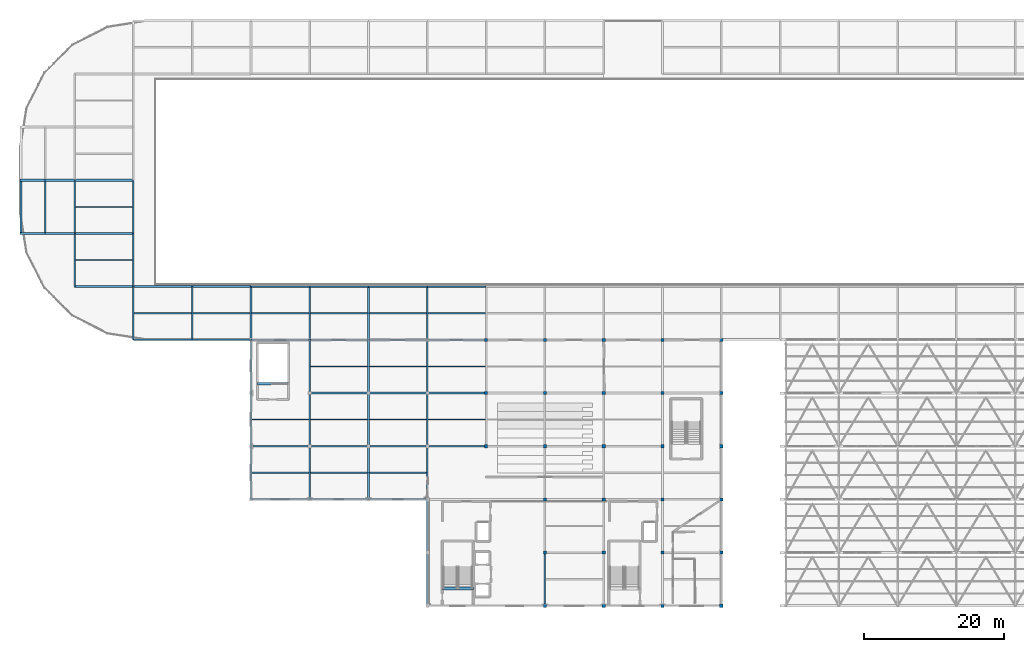
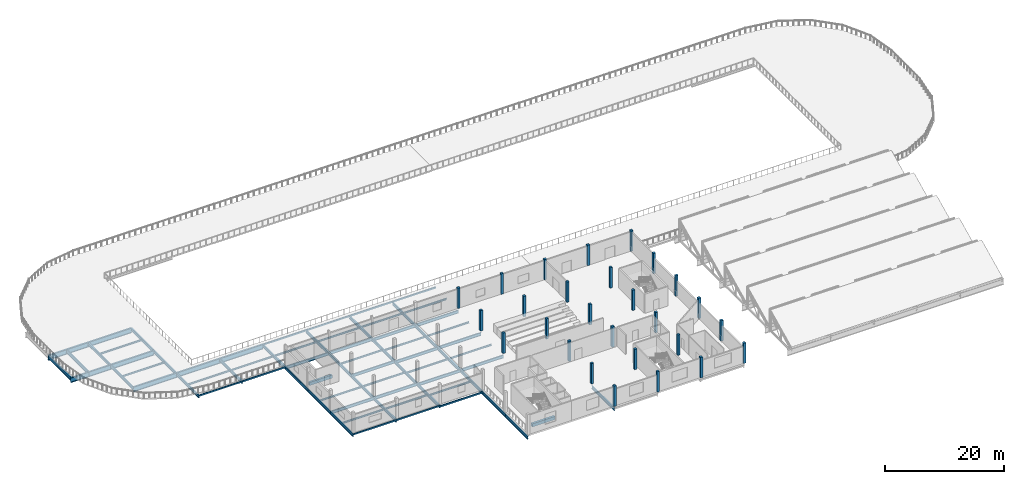
# One storey, part 2 of 57: 74 beams, 27 columns.
"""IFC4 building model written with IfcOpenShell, lengths in metres."""

import ifcopenshell
import ifcopenshell.guid

model = None  # the IFC model being written
_history = None  # IfcOwnerHistory: only IFC2X3 demands one
_inside = {}  # id of a spatial element -> (the spatial element, [elements in it])
_under = {}  # id of a project, library or spatial element -> (it, [spatial elements below it])
_declared = {}  # id of a project -> (the project, [libraries it declares])
_typed = {}  # id of a type object -> (the type object, [elements of that type])
_made_of = {}  # id of a material, layer set ... -> (it, [elements and type objects made of it])


def new_model(schema):
    """Start an empty IFC model of exactly this schema.

    Asked for "IFC4X3", IfcOpenShell would pick the latest addendum, in which some entities
    have other attributes; the version numbers below select the first issue.
    IFC2X3 requires an IfcOwnerHistory on every rooted entity: one is made here for all.
    """
    global model, _history
    if schema == "IFC4X3":
        model = ifcopenshell.file(schema_version=(4, 3, 0, 0))
    else:
        model = ifcopenshell.file(schema=schema)
    _inside.clear()
    _under.clear()
    _declared.clear()
    _typed.clear()
    _made_of.clear()
    _history = None
    if model.schema == "IFC2X3":
        org = make("IfcOrganization", Name="unknown")
        user = make(
            "IfcPersonAndOrganization",
            ThePerson=make("IfcPerson", FamilyName="unknown"),
            TheOrganization=org,
        )
        app = make(
            "IfcApplication",
            ApplicationDeveloper=org,
            Version="unknown",
            ApplicationFullName="unknown",
            ApplicationIdentifier="unknown",
        )
        _history = make(
            "IfcOwnerHistory",
            OwningUser=user,
            OwningApplication=app,
            ChangeAction="ADDED",
            CreationDate=0,
        )
    return model


def make(cls, **values):
    """One entity of the class cls with the attributes given. An attribute that is None is left unset."""
    return model.create_entity(
        cls, **{name: value for name, value in values.items() if value is not None}
    )


def rooted(cls, **values):
    """An entity with a GlobalId (a new one), such as an element, a storey or a relation."""
    return make(cls, GlobalId=ifcopenshell.guid.new(), OwnerHistory=_history, **values)


def si_unit(unit_type, name, prefix=None):
    """IfcSIUnit, for example si_unit("LENGTHUNIT", "METRE", prefix="MILLI")."""
    return make("IfcSIUnit", UnitType=unit_type, Prefix=prefix, Name=name)


def assignment(units):
    """IfcUnitAssignment: the units of a project."""
    return None if units is None else make("IfcUnitAssignment", Units=units)


def point(xyz):
    """IfcCartesianPoint."""
    return None if xyz is None else make("IfcCartesianPoint", Coordinates=xyz)


def direction(xyz):
    """IfcDirection."""
    return None if xyz is None else make("IfcDirection", DirectionRatios=xyz)


def frame(location, z_axis=None, x_axis=None):
    """IfcAxis2Placement3D, a coordinate frame: its origin and axes. An axis left out is left unset."""
    return make(
        "IfcAxis2Placement3D",
        Location=point(location),
        Axis=direction(z_axis),
        RefDirection=direction(x_axis),
    )


def frame_2d(location, x_axis=None):
    """IfcAxis2Placement2D, a coordinate frame in the plane: its origin and x axis."""
    return make(
        "IfcAxis2Placement2D", Location=point(location), RefDirection=direction(x_axis)
    )


def origin():
    """The frame at (0, 0, 0) with its axes left unset."""
    return frame((0.0, 0.0, 0.0))


def origin_2d():
    """The frame at (0, 0) in the plane with its x axis left unset."""
    return frame_2d((0.0, 0.0))


def place(relative_to, where):
    """IfcLocalPlacement: puts the frame where relative to a parent placement (None: the world)."""
    return make(
        "IfcLocalPlacement", PlacementRelTo=relative_to, RelativePlacement=where
    )


def context(
    kind, dimensions, precision=None, world=None, true_north=None, identifier=None
):
    """IfcGeometricRepresentationContext, for example the 3D "Model" context."""
    return make(
        "IfcGeometricRepresentationContext",
        ContextIdentifier=identifier,
        ContextType=kind,
        CoordinateSpaceDimension=dimensions,
        Precision=precision,
        WorldCoordinateSystem=world,
        TrueNorth=true_north,
    )


def subcontext(parent, identifier, kind, view, scale=None):
    """IfcGeometricRepresentationSubContext, for example "Body" below "Model"."""
    return make(
        "IfcGeometricRepresentationSubContext",
        ContextIdentifier=identifier,
        ContextType=kind,
        ParentContext=parent,
        TargetScale=scale,
        TargetView=view,
    )


def project(units=None, contexts=None):
    """IfcProject with its units and contexts."""
    return rooted(
        "IfcProject",
        Name="project",
        RepresentationContexts=contexts,
        UnitsInContext=assignment(units),
    )


def spatial(cls, under=None, at=None, **own):
    """A site, building, storey or space (cls), placed at a placement, below another one or the project."""
    s = rooted(cls, ObjectPlacement=at, **own)
    if under is not None:
        _under.setdefault(under.id(), (under, []))[1].append(s)
    return s


def profile(cls, at=None, kind="AREA", **sizes):
    """A parametric profile (cls). Its sizes go by their IFC names, for example OverallWidth=200.0."""
    return make(cls, ProfileType=kind, Position=at, **sizes)


def rectangle(**sizes):
    """IfcRectangleProfileDef."""
    return profile("IfcRectangleProfileDef", **sizes)


def hollow_rectangle(**sizes):
    """IfcRectangleHollowProfileDef."""
    return profile("IfcRectangleHollowProfileDef", **sizes)


def i_section(**sizes):
    """IfcIShapeProfileDef."""
    return profile("IfcIShapeProfileDef", **sizes)


def extrude(swept, where, along, depth):
    """IfcExtrudedAreaSolid: the profile swept, set in the frame where, extruded along a direction by depth."""
    return make(
        "IfcExtrudedAreaSolid",
        SweptArea=swept,
        Position=where,
        ExtrudedDirection=direction(along),
        Depth=depth,
    )


def shape(context_of_items, identifier, shape_type, items):
    """IfcShapeRepresentation: the items that make up one representation, for example the "Body"."""
    return make(
        "IfcShapeRepresentation",
        ContextOfItems=context_of_items,
        RepresentationIdentifier=identifier,
        RepresentationType=shape_type,
        Items=items,
    )


def material(Name=None, Category=None):
    """IfcMaterial."""
    return make("IfcMaterial", Name=Name, Category=Category)


def material_profile(
    of_material, cross_section, Name=None, Category=None, Priority=None
):
    """IfcMaterialProfile: a cross section and its material."""
    return make(
        "IfcMaterialProfile",
        Name=Name,
        Material=of_material,
        Profile=cross_section,
        Priority=Priority,
        Category=Category,
    )


def profile_set(profiles, Name=None, composite=None):
    """IfcMaterialProfileSet."""
    return make(
        "IfcMaterialProfileSet",
        Name=Name,
        MaterialProfiles=profiles,
        CompositeProfile=composite,
    )


def made_of(thing, what):
    """Note that an element or type object is made of a material, layer set ...; save() writes the relation."""
    if what is not None:
        _made_of.setdefault(what.id(), (what, []))[1].append(thing)
    return thing


def type_object(cls, material=None, **own):
    """A type object (cls), such as IfcWallType, which elements share."""
    return made_of(rooted(cls, **own), material)


def element(
    cls,
    number,
    at=None,
    inside=None,
    cuts=None,
    type_object=None,
    material=None,
    context=None,
    identifier="Body",
    shape_type=None,
    held_by="IfcProductDefinitionShape",
    body=None,
    shapes=None,
    **own,
):
    """One element of the class cls, such as IfcWall. Its Tag is "e" and its number.

    at: its placement. inside: the storey or other place that contains it. cuts: it is an
    opening in that element (IfcRelVoidsElement). A single representation is given by context,
    identifier, shape_type and body (its items); several are given by shapes. held_by: the class
    of the entity that holds the representations. save() writes the other relations.
    """
    e = rooted(cls, Tag="e%d" % number, ObjectPlacement=at, **own)
    if body is not None:
        shapes = [shape(context, identifier, shape_type, body)]
    if shapes is not None:
        e.Representation = make(held_by, Representations=shapes)
    if inside is not None:
        _inside.setdefault(inside.id(), (inside, []))[1].append(e)
    if cuts is not None:
        rooted(
            "IfcRelVoidsElement", RelatingBuildingElement=cuts, RelatedOpeningElement=e
        )
    if type_object is not None:
        _typed.setdefault(type_object.id(), (type_object, []))[1].append(e)
    return made_of(e, material)


def aggregate(whole, parts):
    """IfcRelAggregates: a whole, such as a stair, and the parts it consists of."""
    return rooted("IfcRelAggregates", RelatingObject=whole, RelatedObjects=parts)


def save(model, path):
    """Write the relations noted so far, then the file.

    IfcRelAggregates (storeys below a building ...), IfcRelContainedInSpatialStructure (elements
    in a storey), IfcRelDefinesByType, IfcRelAssociatesMaterial and IfcRelDeclares: one each for
    every whole, place, type object, material and project.
    """
    for whole, parts in _under.values():
        aggregate(whole, parts)
    for where, things in _inside.values():
        rooted(
            "IfcRelContainedInSpatialStructure",
            RelatedElements=things,
            RelatingStructure=where,
        )
    for kind, things in _typed.values():
        rooted("IfcRelDefinesByType", RelatedObjects=things, RelatingType=kind)
    for what, things in _made_of.values():
        rooted("IfcRelAssociatesMaterial", RelatedObjects=things, RelatingMaterial=what)
    for by, libraries in _declared.values():
        rooted("IfcRelDeclares", RelatingContext=by, RelatedDefinitions=libraries)
    model.write(path)


model = new_model("IFC4")

# Units and contexts
model_context = context("Model", 3, precision=1e-05, world=origin(), true_north=direction((0.0, 1.0)))
body_context = subcontext(model_context, "Body", "Model", "MODEL_VIEW")
ifc_project = project(units=[si_unit("LENGTHUNIT", "METRE"), si_unit("AREAUNIT", "SQUARE_METRE"), si_unit("VOLUMEUNIT", "CUBIC_METRE"), si_unit("PLANEANGLEUNIT", "RADIAN"), si_unit("MASSUNIT", "GRAM", prefix="KILO")], contexts=[model_context])

# Site, building, storey
site_placement = place(None, origin())
site = spatial("IfcSite", under=ifc_project, at=site_placement, CompositionType="ELEMENT")
building_placement = place(site_placement, origin())
building = spatial("IfcBuilding", under=site, at=building_placement, Name="Zuvorla Pavilion Media Centre", CompositionType="ELEMENT")
storey_placement = place(building_placement, frame((0.0, 0.0, 18.0)))
storey = spatial("IfcBuildingStorey", under=building, at=storey_placement, Name="L04", CompositionType="ELEMENT", Elevation=18.0)

# Columns
ifc_material_1 = material(Name="Concrete C40/50", Category="concrete")
ifc_material_profile_1 = material_profile(ifc_material_1, rectangle(XDim=0.449951171875, YDim=0.449951171875, at=origin_2d()), Name="RC 450x450")
ifc_profile_set_1 = profile_set([ifc_material_profile_1], Name="Concrete C40/50")
column_type = type_object("IfcColumnType", Name="COL-RC450", PredefinedType="COLUMN", material=ifc_profile_set_1)
for number, where, z_axis, x_axis, name in (
    (1, (83.60009765625, 6.0, 0.0), (0.0, 0.0, 1.0), (1.0, 0.0, 0.0), "L04 column C04 38"),
    (2, (92.0, 6.0, 0.0), (0.0, 0.0, 1.0), (1.0, 0.0, 0.0), "L04 column C04 46"),
    (3, (100.39990234375, 6.0, 0.0), (0.0, 0.0, 1.0), (1.0, 0.0, 0.0), "L04 column C04 54"),
    (4, (108.800048828125, 6.0, 0.0), (0.0, 0.0, 1.0), (1.0, 0.0, 0.0), "L04 column C04 62"),
    (5, (83.60009765625, 13.60009765625, 0.0), (0.0, 0.0, 1.0), (1.0, 0.0, 0.0), "L04 column C04 136"),
    (6, (92.0, 13.60009765625, 0.0), (0.0, 0.0, 1.0), (1.0, 0.0, 0.0), "L04 column C04 144"),
    (7, (100.39990234375, 13.60009765625, 0.0), (0.0, 0.0, 1.0), (1.0, 0.0, 0.0), "L04 column C04 152"),
    (8, (108.800048828125, 13.60009765625, 0.0), (0.0, 0.0, 1.0), (1.0, 0.0, 0.0), "L04 column C04 160"),
    (9, (83.60009765625, 21.199951171875, 0.0), (0.0, 0.0, 1.0), (1.0, 0.0, 0.0), "L04 column C04 237"),
    (10, (92.0, 21.199951171875, 0.0), (0.0, 0.0, 1.0), (1.0, 0.0, 0.0), "L04 column C04 245"),
    (11, (100.39990234375, 21.199951171875, 0.0), (0.0, 0.0, 1.0), (1.0, 0.0, 0.0), "L04 column C04 253"),
    (12, (108.800048828125, 21.199951171875, 0.0), (0.0, 0.0, 1.0), (1.0, 0.0, 0.0), "L04 column C04 261"),
    (13, (75.199951171875, 28.800048828125, 0.0), (0.0, 0.0, 1.0), (1.0, 0.0, 0.0), "L04 column C04 324"),
    (14, (83.60009765625, 28.800048828125, 0.0), (0.0, 0.0, 1.0), (1.0, 0.0, 0.0), "L04 column C04 332"),
    (15, (92.0, 28.800048828125, 0.0), (0.0, 0.0, 1.0), (1.0, 0.0, 0.0), "L04 column C04 340"),
    (16, (100.39990234375, 28.800048828125, 0.0), (0.0, 0.0, 1.0), (1.0, 0.0, 0.0), "L04 column C04 348"),
    (17, (108.800048828125, 28.800048828125, 0.0), (0.0, 0.0, 1.0), (1.0, 0.0, 0.0), "L04 column C04 356"),
    (18, (75.199951171875, 36.39990234375, 0.0), (0.0, 0.0, 1.0), (1.0, 0.0, 0.0), "L04 column C04 414"),
    (19, (83.60009765625, 36.39990234375, 0.0), (0.0, 0.0, 1.0), (1.0, 0.0, 0.0), "L04 column C04 422"),
    (20, (92.0, 36.39990234375, 0.0), (0.0, 0.0, 1.0), (1.0, 0.0, 0.0), "L04 column C04 430"),
    (21, (100.39990234375, 36.39990234375, 0.0), (0.0, 0.0, 1.0), (1.0, 0.0, 0.0), "L04 column C04 438"),
    (22, (108.800048828125, 36.39990234375, 0.0), (0.0, 0.0, 1.0), (1.0, 0.0, 0.0), "L04 column C04 446"),
    (23, (75.199951171875, 44.0, 0.0), (0.0, 0.0, 1.0), (1.0, 0.0, 0.0), "L04 column C04 518"),
    (24, (83.60009765625, 44.0, 0.0), (0.0, 0.0, 1.0), (1.0, 0.0, 0.0), "L04 column C04 524"),
    (25, (92.0, 44.0, 0.0), (0.0, 0.0, 1.0), (1.0, 0.0, 0.0), "L04 column C04 530"),
    (26, (100.39990234375, 44.0, 0.0), (0.0, 0.0, 1.0), (1.0, 0.0, 0.0), "L04 column C04 536"),
    (27, (108.800048828125, 44.0, 0.0), (0.0, 0.0, 1.0), (1.0, 0.0, 0.0), "L04 column C04 542"),
):
    element("IfcColumn", number, at=place(storey_placement, frame(where, z_axis=z_axis, x_axis=x_axis)), inside=storey, type_object=column_type, Name=name, PredefinedType="COLUMN", context=body_context, shape_type="SweptSolid", body=[
        extrude(rectangle(XDim=0.449951171875, YDim=0.449951171875, at=origin_2d()), origin(), (0.0, 0.0, 1.0), 4.199951171875),
    ])

# Beams
ifc_material_profile_2 = material_profile(ifc_material_1, rectangle(XDim=0.39990234375, YDim=0.64990234375, at=origin_2d()), Name="RC 400x650")
ifc_profile_set_2 = profile_set([ifc_material_profile_2], Name="Concrete C40/50")
beam_type_1 = type_object("IfcBeamType", Name="BM-RC-650", PredefinedType="BEAM", material=ifc_profile_set_2)
beam_1_placement = place(storey_placement, frame((68.929931640625, 8.469970703125, -0.323974609375), z_axis=(1.0, 0.0, 0.0), x_axis=(0.0, 1.0, 0.0)))
element("IfcBeam", 28, at=beam_1_placement, inside=storey, type_object=beam_type_1, Name="L04 ST-01 landing trimmer beam", PredefinedType="BEAM", context=body_context, shape_type="SweptSolid", body=[
    extrude(rectangle(XDim=0.39990234375, YDim=0.64990234375, at=origin_2d()), origin(), (0.0, 0.0, 1.0), 4.440185546875),
])
beam_2_placement = place(storey_placement, frame((42.530029296875, 37.719970703125, -0.323974609375), z_axis=(1.0, 0.0, 0.0), x_axis=(0.0, 1.0, 0.0)))
element("IfcBeam", 29, at=beam_2_placement, inside=storey, type_object=beam_type_1, Name="L04 ST-03 arrival trimmer beam", PredefinedType="BEAM", context=body_context, shape_type="SweptSolid", body=[
    extrude(rectangle(XDim=0.39990234375, YDim=0.64990234375, at=origin_2d()), origin(), (0.0, 0.0, 1.0), 4.43994140625),
])
ifc_material_2 = material(Name="Steel S355", Category="steel")
ifc_material_profile_3 = material_profile(ifc_material_2, hollow_rectangle(XDim=0.199951171875, YDim=0.300048828125, WallThickness=0.012451171875, at=origin_2d()), Name="RHS 300x200x12.5")
ifc_profile_set_3 = profile_set([ifc_material_profile_3], Name="Steel S355")
beam_type_2 = type_object("IfcBeamType", Name="BM-SP-RHS300", PredefinedType="SPANDREL", material=ifc_profile_set_3)
for number, where, z_axis, x_axis, name in (
    (30, (41.60009765625, 21.199951171875, -0.39794921875), (1.0, 0.0, 0.0), (0.0, 1.0, 0.0), "L04 spandrel SP01 1297"),
    (31, (50.0, 21.199951171875, -0.39794921875), (1.0, 0.0, 0.0), (0.0, 1.0, 0.0), "L04 spandrel SP01 1298"),
):
    element("IfcBeam", number, at=place(storey_placement, frame(where, z_axis=z_axis, x_axis=x_axis)), inside=storey, type_object=beam_type_2, Name=name, PredefinedType="SPANDREL", context=body_context, shape_type="SweptSolid", body=[
        extrude(hollow_rectangle(XDim=0.199951171875, YDim=0.300048828125, WallThickness=0.012451171875, at=origin_2d()), origin(), (0.0, 0.0, 1.0), 8.39990234375),
    ])
beam_3_placement = place(storey_placement, frame((58.39990234375, 21.199951171875, -0.577880859375), z_axis=(1.0, 0.0, 0.0), x_axis=(0.0, 1.0, 0.0)))
element("IfcBeam", 32, at=beam_3_placement, inside=storey, type_object=beam_type_2, Name="L04 spandrel SP01 1299", PredefinedType="SPANDREL", context=body_context, shape_type="SweptSolid", body=[
    extrude(hollow_rectangle(XDim=0.199951171875, YDim=0.300048828125, WallThickness=0.012451171875, at=origin_2d()), origin(), (0.0, 0.0, 1.0), 8.400146484375),
])
beam_4_placement = place(storey_placement, frame((24.800048828125, 44.0, -0.39794921875), z_axis=(1.0, 0.0, 0.0), x_axis=(0.0, 1.0, 0.0)))
element("IfcBeam", 33, at=beam_4_placement, inside=storey, type_object=beam_type_2, Name="L04 spandrel SP01 1318", PredefinedType="SPANDREL", context=body_context, shape_type="SweptSolid", body=[
    extrude(hollow_rectangle(XDim=0.199951171875, YDim=0.300048828125, WallThickness=0.012451171875, at=origin_2d()), origin(), (0.0, 0.0, 1.0), 8.39990234375),
])
beam_5_placement = place(storey_placement, frame((33.199951171875, 44.0, -0.39794921875), z_axis=(1.0, 0.0, 0.0), x_axis=(0.0, 1.0, 0.0)))
element("IfcBeam", 34, at=beam_5_placement, inside=storey, type_object=beam_type_2, Name="L04 spandrel SP01 1319", PredefinedType="SPANDREL", context=body_context, shape_type="SweptSolid", body=[
    extrude(hollow_rectangle(XDim=0.199951171875, YDim=0.300048828125, WallThickness=0.012451171875, at=origin_2d()), origin(), (0.0, 0.0, 1.0), 8.400146484375),
])
for number, where, z_axis, x_axis, name in (
    (35, (41.60009765625, 51.60009765625, -0.39794921875), (1.0, 0.0, 0.0), (0.0, 1.0, 0.0), "L04 spandrel SP01 1337"),
    (36, (50.0, 51.60009765625, -0.39794921875), (1.0, 0.0, 0.0), (0.0, 1.0, 0.0), "L04 spandrel SP01 1338"),
):
    element("IfcBeam", number, at=place(storey_placement, frame(where, z_axis=z_axis, x_axis=x_axis)), inside=storey, type_object=beam_type_2, Name=name, PredefinedType="SPANDREL", context=body_context, shape_type="SweptSolid", body=[
        extrude(hollow_rectangle(XDim=0.199951171875, YDim=0.300048828125, WallThickness=0.012451171875, at=origin_2d()), origin(), (0.0, 0.0, 1.0), 8.39990234375),
    ])
beam_6_placement = place(storey_placement, frame((58.39990234375, 51.60009765625, -0.39794921875), z_axis=(1.0, 0.0, 0.0), x_axis=(0.0, 1.0, 0.0)))
element("IfcBeam", 37, at=beam_6_placement, inside=storey, type_object=beam_type_2, Name="L04 spandrel SP01 1339", PredefinedType="SPANDREL", context=body_context, shape_type="SweptSolid", body=[
    extrude(hollow_rectangle(XDim=0.199951171875, YDim=0.300048828125, WallThickness=0.012451171875, at=origin_2d()), origin(), (0.0, 0.0, 1.0), 8.400146484375),
])
beam_7_placement = place(storey_placement, frame((66.800048828125, 51.60009765625, -0.39794921875), z_axis=(1.0, 0.0, 0.0), x_axis=(0.0, 1.0, 0.0)))
element("IfcBeam", 38, at=beam_7_placement, inside=storey, type_object=beam_type_2, Name="L04 spandrel SP01 1340", PredefinedType="SPANDREL", context=body_context, shape_type="SweptSolid", body=[
    extrude(hollow_rectangle(XDim=0.199951171875, YDim=0.300048828125, WallThickness=0.012451171875, at=origin_2d()), origin(), (0.0, 0.0, 1.0), 8.39990234375),
])
ifc_material_profile_4 = material_profile(ifc_material_2, i_section(OverallWidth=0.302001953125, OverallDepth=1.008056640625, WebThickness=0.02099609375, FlangeThickness=0.0400390625, FilletRadius=0.030029296875, at=origin_2d()), Name="UB 1016x305x349")
ifc_profile_set_4 = profile_set([ifc_material_profile_4], Name="Steel S355")
beam_type_3 = type_object("IfcBeamType", Name="BM-UB1016", PredefinedType="BEAM", material=ifc_profile_set_4)
beam_8_placement = place(storey_placement, frame((41.60009765625, 51.60009765625, -0.751953125), z_axis=(-1.0, 0.0, 0.0), x_axis=(0.0, -1.0, 0.0)))
element("IfcBeam", 39, at=beam_8_placement, inside=storey, type_object=beam_type_3, Name="L04 beam B02 1721", PredefinedType="BEAM", context=body_context, shape_type="SweptSolid", body=[
    extrude(i_section(OverallWidth=0.302001953125, OverallDepth=1.008056640625, WebThickness=0.02099609375, FlangeThickness=0.0400390625, FilletRadius=0.030029296875, at=origin_2d()), origin(), (0.0, 0.0, 1.0), 25.2001953125),
])
beam_9_placement = place(storey_placement, frame((24.800048828125, 59.199951171875, -0.751953125), z_axis=(-1.0, 0.0, 0.0), x_axis=(0.0, -1.0, 0.0)))
element("IfcBeam", 40, at=beam_9_placement, inside=storey, type_object=beam_type_3, Name="L04 beam B02 1725", PredefinedType="BEAM", context=body_context, shape_type="SweptSolid", body=[
    extrude(i_section(OverallWidth=0.302001953125, OverallDepth=1.008056640625, WebThickness=0.02099609375, FlangeThickness=0.0400390625, FilletRadius=0.030029296875, at=origin_2d()), origin(), (0.0, 0.0, 1.0), 8.400146484375),
])
beam_10_placement = place(storey_placement, frame((16.39990234375, 59.199951171875, -0.751953125), z_axis=(-1.0, 0.0, 0.0), x_axis=(0.0, -1.0, 0.0)))
element("IfcBeam", 41, at=beam_10_placement, inside=storey, type_object=beam_type_3, Name="L04 beam B02 1726", PredefinedType="BEAM", context=body_context, shape_type="SweptSolid", body=[
    extrude(i_section(OverallWidth=0.302001953125, OverallDepth=1.008056640625, WebThickness=0.02099609375, FlangeThickness=0.0400390625, FilletRadius=0.030029296875, at=origin_2d()), origin(), (0.0, 0.0, 1.0), 4.199951171875),
])
beam_11_placement = place(storey_placement, frame((12.199951171875, 59.199951171875, -0.751953125), z_axis=(-1.0, 0.0, 0.0), x_axis=(0.0, -1.0, 0.0)))
element("IfcBeam", 42, at=beam_11_placement, inside=storey, type_object=beam_type_3, Name="L04 beam B02 1727", PredefinedType="BEAM", context=body_context, shape_type="SweptSolid", body=[
    extrude(i_section(OverallWidth=0.302001953125, OverallDepth=1.008056640625, WebThickness=0.02099609375, FlangeThickness=0.0400390625, FilletRadius=0.030029296875, at=origin_2d()), origin(), (0.0, 0.0, 1.0), 3.599853515625),
])
beam_12_placement = place(storey_placement, frame((24.800048828125, 66.800048828125, -0.751953125), z_axis=(-1.0, 0.0, 0.0), x_axis=(0.0, -1.0, 0.0)))
element("IfcBeam", 43, at=beam_12_placement, inside=storey, type_object=beam_type_3, Name="L04 beam B02 1731", PredefinedType="BEAM", context=body_context, shape_type="SweptSolid", body=[
    extrude(i_section(OverallWidth=0.302001953125, OverallDepth=1.008056640625, WebThickness=0.02099609375, FlangeThickness=0.0400390625, FilletRadius=0.030029296875, at=origin_2d()), origin(), (0.0, 0.0, 1.0), 8.400146484375),
])
beam_13_placement = place(storey_placement, frame((16.39990234375, 66.800048828125, -0.751953125), z_axis=(-1.0, 0.0, 0.0), x_axis=(0.0, -1.0, 0.0)))
element("IfcBeam", 44, at=beam_13_placement, inside=storey, type_object=beam_type_3, Name="L04 beam B02 1732", PredefinedType="BEAM", context=body_context, shape_type="SweptSolid", body=[
    extrude(i_section(OverallWidth=0.302001953125, OverallDepth=1.008056640625, WebThickness=0.02099609375, FlangeThickness=0.0400390625, FilletRadius=0.030029296875, at=origin_2d()), origin(), (0.0, 0.0, 1.0), 4.199951171875),
])
beam_14_placement = place(storey_placement, frame((12.199951171875, 66.800048828125, -0.751953125), z_axis=(-1.0, 0.0, 0.0), x_axis=(0.0, -1.0, 0.0)))
element("IfcBeam", 45, at=beam_14_placement, inside=storey, type_object=beam_type_3, Name="L04 beam B02 1733", PredefinedType="BEAM", context=body_context, shape_type="SweptSolid", body=[
    extrude(i_section(OverallWidth=0.302001953125, OverallDepth=1.008056640625, WebThickness=0.02099609375, FlangeThickness=0.0400390625, FilletRadius=0.030029296875, at=origin_2d()), origin(), (0.0, 0.0, 1.0), 3.599853515625),
])
ifc_material_profile_5 = material_profile(ifc_material_2, i_section(OverallWidth=0.172119140625, OverallDepth=0.35791015625, WebThickness=0.008056640625, FlangeThickness=0.012939453125, FilletRadius=0.01025390625, at=origin_2d()), Name="UB 356x171x57")
ifc_profile_set_5 = profile_set([ifc_material_profile_5], Name="Steel S355")
beam_type_4 = type_object("IfcBeamType", Name="BM-UB356", PredefinedType="JOIST", material=ifc_profile_set_5)
for number, where, z_axis, x_axis, name in (
    (46, (16.509521484375, 55.39990234375, -0.427001953125), (1.0, 0.0, 0.0), (0.0, 1.0, 0.0), "L04 joist J03 1476"),
    (47, (16.509521484375, 63.0, -0.427001953125), (1.0, 0.0, 0.0), (0.0, 1.0, 0.0), "L04 joist J03 1477"),
):
    element("IfcBeam", number, at=place(storey_placement, frame(where, z_axis=z_axis, x_axis=x_axis)), inside=storey, type_object=beam_type_4, Name=name, PredefinedType="JOIST", context=body_context, shape_type="SweptSolid", body=[
        extrude(i_section(OverallWidth=0.172119140625, OverallDepth=0.35791015625, WebThickness=0.008056640625, FlangeThickness=0.012939453125, FilletRadius=0.01025390625, at=origin_2d()), origin(), (0.0, 0.0, 1.0), 8.180908203125),
    ])
beam_15_placement = place(storey_placement, frame((24.909423828125, 47.800048828125, -0.427001953125), z_axis=(1.0, 0.0, 0.0), x_axis=(0.0, 1.0, 0.0)))
element("IfcBeam", 48, at=beam_15_placement, inside=storey, type_object=beam_type_4, Name="L04 joist J03 1480", PredefinedType="JOIST", context=body_context, shape_type="SweptSolid", body=[
    extrude(i_section(OverallWidth=0.172119140625, OverallDepth=0.35791015625, WebThickness=0.008056640625, FlangeThickness=0.012939453125, FilletRadius=0.01025390625, at=origin_2d()), origin(), (0.0, 0.0, 1.0), 8.18115234375),
])
for number, where, z_axis, x_axis, name in (
    (49, (33.3095703125, 47.800048828125, -0.427001953125), (1.0, 0.0, 0.0), (0.0, 1.0, 0.0), "L04 joist J03 1482"),
    (50, (41.70947265625, 25.0, -0.427001953125), (1.0, 0.0, 0.0), (0.0, 1.0, 0.0), "L04 joist J03 1484"),
    (51, (41.70947265625, 32.60009765625, -0.427001953125), (1.0, 0.0, 0.0), (0.0, 1.0, 0.0), "L04 joist J03 1485"),
    (52, (41.70947265625, 47.800048828125, -0.427001953125), (1.0, 0.0, 0.0), (0.0, 1.0, 0.0), "L04 joist J03 1486"),
    (53, (50.109619140625, 25.0, -0.427001953125), (1.0, 0.0, 0.0), (0.0, 1.0, 0.0), "L04 joist J03 1488"),
    (54, (50.109619140625, 32.60009765625, -0.427001953125), (1.0, 0.0, 0.0), (0.0, 1.0, 0.0), "L04 joist J03 1489"),
    (55, (50.109619140625, 40.199951171875, -0.427001953125), (1.0, 0.0, 0.0), (0.0, 1.0, 0.0), "L04 joist J03 1490"),
    (56, (50.109619140625, 47.800048828125, -0.427001953125), (1.0, 0.0, 0.0), (0.0, 1.0, 0.0), "L04 joist J03 1491"),
    (57, (58.509521484375, 25.0, -0.60693359375), (1.0, 0.0, 0.0), (0.0, 1.0, 0.0), "L04 joist J03 1493"),
    (58, (58.509521484375, 32.60009765625, -0.60693359375), (1.0, 0.0, 0.0), (0.0, 1.0, 0.0), "L04 joist J03 1494"),
    (59, (58.509521484375, 40.199951171875, -0.60693359375), (1.0, 0.0, 0.0), (0.0, 1.0, 0.0), "L04 joist J03 1495"),
    (60, (58.509521484375, 47.800048828125, -0.427001953125), (1.0, 0.0, 0.0), (0.0, 1.0, 0.0), "L04 joist J03 1496"),
):
    element("IfcBeam", number, at=place(storey_placement, frame(where, z_axis=z_axis, x_axis=x_axis)), inside=storey, type_object=beam_type_4, Name=name, PredefinedType="JOIST", context=body_context, shape_type="SweptSolid", body=[
        extrude(i_section(OverallWidth=0.172119140625, OverallDepth=0.35791015625, WebThickness=0.008056640625, FlangeThickness=0.012939453125, FilletRadius=0.01025390625, at=origin_2d()), origin(), (0.0, 0.0, 1.0), 8.180908203125),
    ])
for number, where, z_axis, x_axis, name in (
    (61, (66.909423828125, 32.60009765625, -0.60693359375), (1.0, 0.0, 0.0), (0.0, 1.0, 0.0), "L04 joist J03 1498"),
    (62, (66.909423828125, 40.199951171875, -0.60693359375), (1.0, 0.0, 0.0), (0.0, 1.0, 0.0), "L04 joist J03 1499"),
    (63, (66.909423828125, 47.800048828125, -0.427001953125), (1.0, 0.0, 0.0), (0.0, 1.0, 0.0), "L04 joist J03 1500"),
):
    element("IfcBeam", number, at=place(storey_placement, frame(where, z_axis=z_axis, x_axis=x_axis)), inside=storey, type_object=beam_type_4, Name=name, PredefinedType="JOIST", context=body_context, shape_type="SweptSolid", body=[
        extrude(i_section(OverallWidth=0.172119140625, OverallDepth=0.35791015625, WebThickness=0.008056640625, FlangeThickness=0.012939453125, FilletRadius=0.01025390625, at=origin_2d()), origin(), (0.0, 0.0, 1.0), 8.18115234375),
    ])
ifc_material_profile_6 = material_profile(ifc_material_2, i_section(OverallWidth=0.22900390625, OverallDepth=0.6123046875, WebThickness=0.011962890625, FlangeThickness=0.01953125, FilletRadius=0.0126953125, at=origin_2d()), Name="UB 610x229x125")
ifc_profile_set_6 = profile_set([ifc_material_profile_6], Name="Steel S355")
beam_type_5 = type_object("IfcBeamType", Name="BM-UB610", PredefinedType="BEAM", material=ifc_profile_set_6)
for number, where, z_axis, x_axis, name in (
    (64, (41.60009765625, 28.800048828125, -0.55419921875), (1.0, 0.0, 0.0), (0.0, 1.0, 0.0), "L04 beam B07 1304"),
    (65, (50.0, 28.800048828125, -0.55419921875), (1.0, 0.0, 0.0), (0.0, 1.0, 0.0), "L04 beam B07 1305"),
):
    element("IfcBeam", number, at=place(storey_placement, frame(where, z_axis=z_axis, x_axis=x_axis)), inside=storey, type_object=beam_type_5, Name=name, PredefinedType="BEAM", context=body_context, shape_type="SweptSolid", body=[
        extrude(i_section(OverallWidth=0.22900390625, OverallDepth=0.6123046875, WebThickness=0.011962890625, FlangeThickness=0.01953125, FilletRadius=0.0126953125, at=origin_2d()), origin(), (0.0, 0.0, 1.0), 8.39990234375),
    ])
beam_16_placement = place(storey_placement, frame((58.39990234375, 28.800048828125, -0.734130859375), z_axis=(1.0, 0.0, 0.0), x_axis=(0.0, 1.0, 0.0)))
element("IfcBeam", 66, at=beam_16_placement, inside=storey, type_object=beam_type_5, Name="L04 beam B07 1306", PredefinedType="BEAM", context=body_context, shape_type="SweptSolid", body=[
    extrude(i_section(OverallWidth=0.22900390625, OverallDepth=0.6123046875, WebThickness=0.011962890625, FlangeThickness=0.01953125, FilletRadius=0.0126953125, at=origin_2d()), origin(), (0.0, 0.0, 1.0), 8.400146484375),
])
for number, where, z_axis, x_axis, name in (
    (67, (66.800048828125, 28.800048828125, -0.734130859375), (1.0, 0.0, 0.0), (0.0, 1.0, 0.0), "L04 beam B07 1307"),
    (68, (50.0, 36.39990234375, -0.55419921875), (1.0, 0.0, 0.0), (0.0, 1.0, 0.0), "L04 beam B07 1311"),
):
    element("IfcBeam", number, at=place(storey_placement, frame(where, z_axis=z_axis, x_axis=x_axis)), inside=storey, type_object=beam_type_5, Name=name, PredefinedType="BEAM", context=body_context, shape_type="SweptSolid", body=[
        extrude(i_section(OverallWidth=0.22900390625, OverallDepth=0.6123046875, WebThickness=0.011962890625, FlangeThickness=0.01953125, FilletRadius=0.0126953125, at=origin_2d()), origin(), (0.0, 0.0, 1.0), 8.39990234375),
    ])
beam_17_placement = place(storey_placement, frame((58.39990234375, 36.39990234375, -0.734130859375), z_axis=(1.0, 0.0, 0.0), x_axis=(0.0, 1.0, 0.0)))
element("IfcBeam", 69, at=beam_17_placement, inside=storey, type_object=beam_type_5, Name="L04 beam B07 1312", PredefinedType="BEAM", context=body_context, shape_type="SweptSolid", body=[
    extrude(i_section(OverallWidth=0.22900390625, OverallDepth=0.6123046875, WebThickness=0.011962890625, FlangeThickness=0.01953125, FilletRadius=0.0126953125, at=origin_2d()), origin(), (0.0, 0.0, 1.0), 8.400146484375),
])
for number, where, z_axis, x_axis, name in (
    (70, (66.800048828125, 36.39990234375, -0.734130859375), (1.0, 0.0, 0.0), (0.0, 1.0, 0.0), "L04 beam B07 1313"),
    (71, (41.60009765625, 44.0, -0.55419921875), (1.0, 0.0, 0.0), (0.0, 1.0, 0.0), "L04 beam B07 1320"),
    (72, (50.0, 44.0, -0.55419921875), (1.0, 0.0, 0.0), (0.0, 1.0, 0.0), "L04 beam B07 1321"),
):
    element("IfcBeam", number, at=place(storey_placement, frame(where, z_axis=z_axis, x_axis=x_axis)), inside=storey, type_object=beam_type_5, Name=name, PredefinedType="BEAM", context=body_context, shape_type="SweptSolid", body=[
        extrude(i_section(OverallWidth=0.22900390625, OverallDepth=0.6123046875, WebThickness=0.011962890625, FlangeThickness=0.01953125, FilletRadius=0.0126953125, at=origin_2d()), origin(), (0.0, 0.0, 1.0), 8.39990234375),
    ])
beam_18_placement = place(storey_placement, frame((58.39990234375, 44.0, -0.734130859375), z_axis=(1.0, 0.0, 0.0), x_axis=(0.0, 1.0, 0.0)))
element("IfcBeam", 73, at=beam_18_placement, inside=storey, type_object=beam_type_5, Name="L04 beam B07 1322", PredefinedType="BEAM", context=body_context, shape_type="SweptSolid", body=[
    extrude(i_section(OverallWidth=0.22900390625, OverallDepth=0.6123046875, WebThickness=0.011962890625, FlangeThickness=0.01953125, FilletRadius=0.0126953125, at=origin_2d()), origin(), (0.0, 0.0, 1.0), 8.400146484375),
])
beam_19_placement = place(storey_placement, frame((66.800048828125, 44.0, -0.734130859375), z_axis=(1.0, 0.0, 0.0), x_axis=(0.0, 1.0, 0.0)))
element("IfcBeam", 74, at=beam_19_placement, inside=storey, type_object=beam_type_5, Name="L04 beam B07 1323", PredefinedType="BEAM", context=body_context, shape_type="SweptSolid", body=[
    extrude(i_section(OverallWidth=0.22900390625, OverallDepth=0.6123046875, WebThickness=0.011962890625, FlangeThickness=0.01953125, FilletRadius=0.0126953125, at=origin_2d()), origin(), (0.0, 0.0, 1.0), 8.39990234375),
])
beam_20_placement = place(storey_placement, frame((16.39990234375, 51.60009765625, -0.55419921875), z_axis=(0.0, 1.0, 0.0), x_axis=(-1.0, 0.0, 0.0)))
element("IfcBeam", 75, at=beam_20_placement, inside=storey, type_object=beam_type_5, Name="L04 beam B07 1390", PredefinedType="BEAM", context=body_context, shape_type="SweptSolid", body=[
    extrude(i_section(OverallWidth=0.22900390625, OverallDepth=0.6123046875, WebThickness=0.011962890625, FlangeThickness=0.01953125, FilletRadius=0.0126953125, at=origin_2d()), origin(), (0.0, 0.0, 1.0), 7.599853515625),
])
for number, where, z_axis, x_axis, name in (
    (76, (16.39990234375, 59.199951171875, -0.55419921875), (0.0, 1.0, 0.0), (-1.0, 0.0, 0.0), "L04 beam B07 1391"),
    (77, (24.800048828125, 44.0, -0.55419921875), (0.0, 1.0, 0.0), (-1.0, 0.0, 0.0), "L04 beam B07 1394"),
):
    element("IfcBeam", number, at=place(storey_placement, frame(where, z_axis=z_axis, x_axis=x_axis)), inside=storey, type_object=beam_type_5, Name=name, PredefinedType="BEAM", context=body_context, shape_type="SweptSolid", body=[
        extrude(i_section(OverallWidth=0.22900390625, OverallDepth=0.6123046875, WebThickness=0.011962890625, FlangeThickness=0.01953125, FilletRadius=0.0126953125, at=origin_2d()), origin(), (0.0, 0.0, 1.0), 7.60009765625),
    ])
beam_21_placement = place(storey_placement, frame((24.800048828125, 51.60009765625, -0.55419921875), z_axis=(0.0, 1.0, 0.0), x_axis=(-1.0, 0.0, 0.0)))
element("IfcBeam", 78, at=beam_21_placement, inside=storey, type_object=beam_type_5, Name="L04 beam B07 1395", PredefinedType="BEAM", context=body_context, shape_type="SweptSolid", body=[
    extrude(i_section(OverallWidth=0.22900390625, OverallDepth=0.6123046875, WebThickness=0.011962890625, FlangeThickness=0.01953125, FilletRadius=0.0126953125, at=origin_2d()), origin(), (0.0, 0.0, 1.0), 7.599853515625),
])
for number, where, z_axis, x_axis, name in (
    (79, (24.800048828125, 59.199951171875, -0.55419921875), (0.0, 1.0, 0.0), (-1.0, 0.0, 0.0), "L04 beam B07 1396"),
    (80, (33.199951171875, 44.0, -0.55419921875), (0.0, 1.0, 0.0), (-1.0, 0.0, 0.0), "L04 beam B07 1400"),
    (81, (41.60009765625, 21.199951171875, -0.55419921875), (0.0, 1.0, 0.0), (-1.0, 0.0, 0.0), "L04 beam B07 1402"),
):
    element("IfcBeam", number, at=place(storey_placement, frame(where, z_axis=z_axis, x_axis=x_axis)), inside=storey, type_object=beam_type_5, Name=name, PredefinedType="BEAM", context=body_context, shape_type="SweptSolid", body=[
        extrude(i_section(OverallWidth=0.22900390625, OverallDepth=0.6123046875, WebThickness=0.011962890625, FlangeThickness=0.01953125, FilletRadius=0.0126953125, at=origin_2d()), origin(), (0.0, 0.0, 1.0), 7.60009765625),
    ])
beam_22_placement = place(storey_placement, frame((41.60009765625, 28.800048828125, -0.55419921875), z_axis=(0.0, 1.0, 0.0), x_axis=(-1.0, 0.0, 0.0)))
element("IfcBeam", 82, at=beam_22_placement, inside=storey, type_object=beam_type_5, Name="L04 beam B07 1403", PredefinedType="BEAM", context=body_context, shape_type="SweptSolid", body=[
    extrude(i_section(OverallWidth=0.22900390625, OverallDepth=0.6123046875, WebThickness=0.011962890625, FlangeThickness=0.01953125, FilletRadius=0.0126953125, at=origin_2d()), origin(), (0.0, 0.0, 1.0), 7.599853515625),
])
for number, where, z_axis, x_axis, name in (
    (83, (41.60009765625, 36.39990234375, -0.55419921875), (0.0, 1.0, 0.0), (-1.0, 0.0, 0.0), "L04 beam B07 1404"),
    (84, (41.60009765625, 44.0, -0.55419921875), (0.0, 1.0, 0.0), (-1.0, 0.0, 0.0), "L04 beam B07 1405"),
    (85, (50.0, 21.199951171875, -0.55419921875), (0.0, 1.0, 0.0), (-1.0, 0.0, 0.0), "L04 beam B07 1407"),
):
    element("IfcBeam", number, at=place(storey_placement, frame(where, z_axis=z_axis, x_axis=x_axis)), inside=storey, type_object=beam_type_5, Name=name, PredefinedType="BEAM", context=body_context, shape_type="SweptSolid", body=[
        extrude(i_section(OverallWidth=0.22900390625, OverallDepth=0.6123046875, WebThickness=0.011962890625, FlangeThickness=0.01953125, FilletRadius=0.0126953125, at=origin_2d()), origin(), (0.0, 0.0, 1.0), 7.60009765625),
    ])
beam_23_placement = place(storey_placement, frame((50.0, 28.800048828125, -0.55419921875), z_axis=(0.0, 1.0, 0.0), x_axis=(-1.0, 0.0, 0.0)))
element("IfcBeam", 86, at=beam_23_placement, inside=storey, type_object=beam_type_5, Name="L04 beam B07 1408", PredefinedType="BEAM", context=body_context, shape_type="SweptSolid", body=[
    extrude(i_section(OverallWidth=0.22900390625, OverallDepth=0.6123046875, WebThickness=0.011962890625, FlangeThickness=0.01953125, FilletRadius=0.0126953125, at=origin_2d()), origin(), (0.0, 0.0, 1.0), 7.599853515625),
])
for number, where, z_axis, x_axis, name in (
    (87, (50.0, 36.39990234375, -0.55419921875), (0.0, 1.0, 0.0), (-1.0, 0.0, 0.0), "L04 beam B07 1409"),
    (88, (50.0, 44.0, -0.55419921875), (0.0, 1.0, 0.0), (-1.0, 0.0, 0.0), "L04 beam B07 1410"),
    (89, (58.39990234375, 21.199951171875, -0.55419921875), (0.0, 1.0, 0.0), (-1.0, 0.0, 0.0), "L04 beam B07 1412"),
):
    element("IfcBeam", number, at=place(storey_placement, frame(where, z_axis=z_axis, x_axis=x_axis)), inside=storey, type_object=beam_type_5, Name=name, PredefinedType="BEAM", context=body_context, shape_type="SweptSolid", body=[
        extrude(i_section(OverallWidth=0.22900390625, OverallDepth=0.6123046875, WebThickness=0.011962890625, FlangeThickness=0.01953125, FilletRadius=0.0126953125, at=origin_2d()), origin(), (0.0, 0.0, 1.0), 7.60009765625),
    ])
beam_24_placement = place(storey_placement, frame((58.39990234375, 28.800048828125, -0.55419921875), z_axis=(0.0, 1.0, 0.0), x_axis=(-1.0, 0.0, 0.0)))
element("IfcBeam", 90, at=beam_24_placement, inside=storey, type_object=beam_type_5, Name="L04 beam B07 1413", PredefinedType="BEAM", context=body_context, shape_type="SweptSolid", body=[
    extrude(i_section(OverallWidth=0.22900390625, OverallDepth=0.6123046875, WebThickness=0.011962890625, FlangeThickness=0.01953125, FilletRadius=0.0126953125, at=origin_2d()), origin(), (0.0, 0.0, 1.0), 7.599853515625),
])
for number, where, z_axis, x_axis, name in (
    (91, (58.39990234375, 36.39990234375, -0.55419921875), (0.0, 1.0, 0.0), (-1.0, 0.0, 0.0), "L04 beam B07 1414"),
    (92, (58.39990234375, 44.0, -0.55419921875), (0.0, 1.0, 0.0), (-1.0, 0.0, 0.0), "L04 beam B07 1415"),
    (93, (66.800048828125, 6.0, -0.734130859375), (0.0, 1.0, 0.0), (-1.0, 0.0, 0.0), "L04 beam B07 1417"),
):
    element("IfcBeam", number, at=place(storey_placement, frame(where, z_axis=z_axis, x_axis=x_axis)), inside=storey, type_object=beam_type_5, Name=name, PredefinedType="BEAM", context=body_context, shape_type="SweptSolid", body=[
        extrude(i_section(OverallWidth=0.22900390625, OverallDepth=0.6123046875, WebThickness=0.011962890625, FlangeThickness=0.01953125, FilletRadius=0.0126953125, at=origin_2d()), origin(), (0.0, 0.0, 1.0), 7.60009765625),
    ])
beam_25_placement = place(storey_placement, frame((66.800048828125, 13.60009765625, -0.734130859375), z_axis=(0.0, 1.0, 0.0), x_axis=(-1.0, 0.0, 0.0)))
element("IfcBeam", 94, at=beam_25_placement, inside=storey, type_object=beam_type_5, Name="L04 beam B07 1418", PredefinedType="BEAM", context=body_context, shape_type="SweptSolid", body=[
    extrude(i_section(OverallWidth=0.22900390625, OverallDepth=0.6123046875, WebThickness=0.011962890625, FlangeThickness=0.01953125, FilletRadius=0.0126953125, at=origin_2d()), origin(), (0.0, 0.0, 1.0), 7.599853515625),
])
beam_26_placement = place(storey_placement, frame((66.800048828125, 21.199951171875, -0.734130859375), z_axis=(0.0, 1.0, 0.0), x_axis=(-1.0, 0.0, 0.0)))
element("IfcBeam", 95, at=beam_26_placement, inside=storey, type_object=beam_type_5, Name="L04 beam B07 1419", PredefinedType="BEAM", context=body_context, shape_type="SweptSolid", body=[
    extrude(i_section(OverallWidth=0.22900390625, OverallDepth=0.6123046875, WebThickness=0.011962890625, FlangeThickness=0.01953125, FilletRadius=0.0126953125, at=origin_2d()), origin(), (0.0, 0.0, 1.0), 7.60009765625),
])
beam_27_placement = place(storey_placement, frame((66.800048828125, 28.800048828125, -0.734130859375), z_axis=(0.0, 1.0, 0.0), x_axis=(-1.0, 0.0, 0.0)))
element("IfcBeam", 96, at=beam_27_placement, inside=storey, type_object=beam_type_5, Name="L04 beam B07 1420", PredefinedType="BEAM", context=body_context, shape_type="SweptSolid", body=[
    extrude(i_section(OverallWidth=0.22900390625, OverallDepth=0.6123046875, WebThickness=0.011962890625, FlangeThickness=0.01953125, FilletRadius=0.0126953125, at=origin_2d()), origin(), (0.0, 0.0, 1.0), 7.599853515625),
])
for number, where, z_axis, x_axis, name in (
    (97, (66.800048828125, 36.39990234375, -0.734130859375), (0.0, 1.0, 0.0), (-1.0, 0.0, 0.0), "L04 beam B07 1421"),
    (98, (66.800048828125, 44.0, -0.734130859375), (0.0, 1.0, 0.0), (-1.0, 0.0, 0.0), "L04 beam B07 1422"),
    (99, (83.60009765625, 6.0, -0.734130859375), (0.0, 1.0, 0.0), (-1.0, 0.0, 0.0), "L04 beam B07 1428"),
):
    element("IfcBeam", number, at=place(storey_placement, frame(where, z_axis=z_axis, x_axis=x_axis)), inside=storey, type_object=beam_type_5, Name=name, PredefinedType="BEAM", context=body_context, shape_type="SweptSolid", body=[
        extrude(i_section(OverallWidth=0.22900390625, OverallDepth=0.6123046875, WebThickness=0.011962890625, FlangeThickness=0.01953125, FilletRadius=0.0126953125, at=origin_2d()), origin(), (0.0, 0.0, 1.0), 7.60009765625),
    ])
ifc_material_profile_7 = material_profile(ifc_material_2, i_section(OverallWidth=0.25439453125, OverallDepth=0.6875, WebThickness=0.01318359375, FlangeThickness=0.02099609375, FilletRadius=0.01513671875, at=origin_2d()), Name="UB 686x254x152")
ifc_profile_set_7 = profile_set([ifc_material_profile_7], Name="Steel S355")
beam_type_6 = type_object("IfcBeamType", Name="BM-UB686", PredefinedType="BEAM", material=ifc_profile_set_7)
for number, where, z_axis, x_axis, name in (
    (100, (12.199951171875, 59.199951171875, -0.591796875), (0.0, 1.0, 0.0), (-1.0, 0.0, 0.0), "L04 beam B06 1743"),
    (101, (8.72998046875, 59.199951171875, -0.591796875), (0.0, 1.0, 0.0), (-1.0, 0.0, 0.0), "L04 beam B06 1745"),
):
    element("IfcBeam", number, at=place(storey_placement, frame(where, z_axis=z_axis, x_axis=x_axis)), inside=storey, type_object=beam_type_6, Name=name, PredefinedType="BEAM", context=body_context, shape_type="SweptSolid", body=[
        extrude(i_section(OverallWidth=0.25439453125, OverallDepth=0.6875, WebThickness=0.01318359375, FlangeThickness=0.02099609375, FilletRadius=0.01513671875, at=origin_2d()), origin(), (0.0, 0.0, 1.0), 7.60009765625),
    ])

save(model, "model.ifc")
